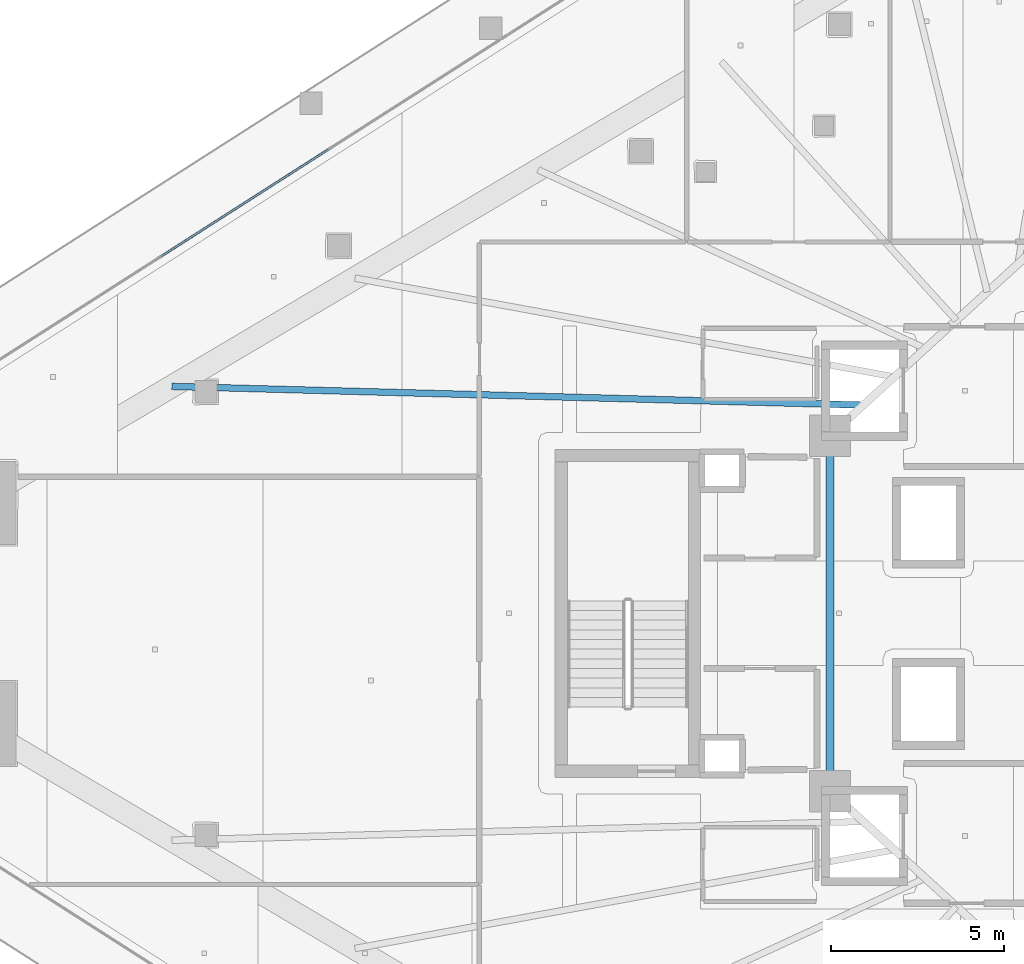
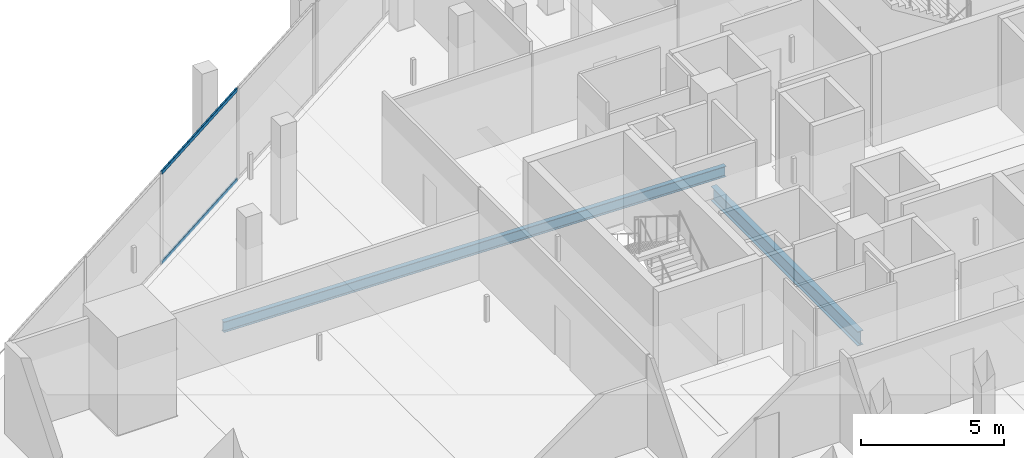
# One storey, part 15 of 45: 2 beams, 2 members, 1 element without a shape of its own.
"""IFC4 building model written with IfcOpenShell, lengths in metres."""

from ifc_helpers import new_model, si_unit, direction, frame, origin, origin_2d, place, context, subcontext, project, spatial, hollow_rectangle, i_section, extrude, material, layer, layer_set, material_profile, profile_set, type_object, element, aggregate, save


model = new_model("IFC4")

# Units and contexts
model_context = context("Model", 3, precision=1e-05, world=origin(), true_north=direction((0.0, 1.0)))
body_context = subcontext(model_context, "Body", "Model", "MODEL_VIEW")
ifc_project = project(units=[si_unit("LENGTHUNIT", "METRE"), si_unit("AREAUNIT", "SQUARE_METRE"), si_unit("VOLUMEUNIT", "CUBIC_METRE"), si_unit("PLANEANGLEUNIT", "RADIAN"), si_unit("MASSUNIT", "GRAM", prefix="KILO")], contexts=[model_context])

# Site, building, storey
site_placement = place(None, origin())
site = spatial("IfcSite", under=ifc_project, at=site_placement, CompositionType="ELEMENT")
building_placement = place(site_placement, origin())
building = spatial("IfcBuilding", under=site, at=building_placement, Name="Qorvath Tower", CompositionType="ELEMENT")
storey_placement = place(building_placement, frame((0.0, 0.0, 66.0)))
storey = spatial("IfcBuildingStorey", under=building, at=storey_placement, Name="L14", CompositionType="ELEMENT", Elevation=66.0)

# Beams
ifc_material_1 = material(Name="Steel ASTM A992 Grade 50", Category="steel")
ifc_material_profile_1 = material_profile(ifc_material_1, i_section(OverallWidth=0.22998046875, OverallDepth=0.616943359375, WebThickness=0.01318359375, FlangeThickness=0.022216796875, FilletRadius=0.014892578125, at=origin_2d()), Name="W24x94")
ifc_profile_set_1 = profile_set([ifc_material_profile_1], Name="Steel ASTM A992 Grade 50")
beam_type_1 = type_object("IfcBeamType", Name="BM-FG6", PredefinedType="BEAM", material=ifc_profile_set_1)
beam_1_placement = place(storey_placement, frame((-30.5, -5.14990234375, -0.58837890625), z_axis=(0.0, 1.0, 0.0), x_axis=(-1.0, 0.0, 0.0)))
element("IfcBeam", 1, at=beam_1_placement, inside=storey, type_object=beam_type_1, Name="Core Ring Girder CC6-CC5 L14", PredefinedType="BEAM", context=body_context, shape_type="SweptSolid", body=[
    extrude(i_section(OverallWidth=0.22998046875, OverallDepth=0.616943359375, WebThickness=0.01318359375, FlangeThickness=0.022216796875, FilletRadius=0.014892578125, at=origin_2d()), origin(), (0.0, 0.0, 1.0), 10.2998046875),
])
ifc_material_2 = material(Name="Steel ASTM A992 Grade 50", Category="steel")
ifc_material_profile_2 = material_profile(ifc_material_2, i_section(OverallWidth=0.18994140625, OverallDepth=0.45703125, WebThickness=0.009033203125, FlangeThickness=0.014404296875, FilletRadius=0.011962890625, at=origin_2d()), Name="W18x50")
ifc_profile_set_2 = profile_set([ifc_material_profile_2], Name="Steel ASTM A992 Grade 50")
beam_type_2 = type_object("IfcBeamType", Name="BM-FJ2", PredefinedType="JOIST", material=ifc_profile_set_2)
beam_2_placement = place(storey_placement, frame((-29.533935546875, 6.031982421875, -0.508544921875), z_axis=(-0.999634925413, 0.02701880631, 0.0), x_axis=(-0.02701880631, -0.999634925413, 0.0)))
element("IfcBeam", 2, at=beam_2_placement, inside=storey, type_object=beam_type_2, Name="Composite Floor Joist NW1 L14", PredefinedType="JOIST", context=body_context, shape_type="SweptSolid", body=[
    extrude(i_section(OverallWidth=0.18994140625, OverallDepth=0.45703125, WebThickness=0.009033203125, FlangeThickness=0.014404296875, FilletRadius=0.011962890625, at=origin_2d()), origin(), (0.0, 0.0, 1.0), 20.041748046875),
])

# Curtain wall, members
ifc_material_3 = material(Name="Anodised aluminium and triple low-E glass", Category="aluminium")
ifc_layer = layer(ifc_material_3, 0.179931640625)
ifc_layer_set = layer_set([ifc_layer], Name="CW-SYS-2")
curtain_wall_type = type_object("IfcCurtainWallType", Name="CW-SYS-2", PredefinedType="NOTDEFINED", material=ifc_layer_set)
curtain_wall_placement = place(storey_placement, origin())
curtain_wall = element("IfcCurtainWall", 3, at=curtain_wall_placement, inside=storey, type_object=curtain_wall_type, Name="Curtain Wall CW-2 CW-T-L14-16.3", PredefinedType="NOTDEFINED")
ifc_material_4 = material(Name="Anodised aluminium 6063-T6", Category="aluminium")
ifc_material_profile_3 = material_profile(ifc_material_4, hollow_rectangle(XDim=0.06494140625, YDim=0.159912109375, WallThickness=0.00341796875, InnerFilletRadius=0.00341796875, OuterFilletRadius=0.007080078125, at=origin_2d()), Name="CWT 160x65")
ifc_profile_set_3 = profile_set([ifc_material_profile_3], Name="Anodised aluminium 6063-T6")
member_type = type_object("IfcMemberType", Name="CWT-160", PredefinedType="USERDEFINED", material=ifc_profile_set_3)
member_1_placement = place(storey_placement, frame((-45.033935546875, 13.4384765625, 0.032470703125), z_axis=(-0.842601476504, -0.538537604809, 0.0), x_axis=(0.538537604809, -0.842601476504, 0.0)))
member_1 = element("IfcMember", 4, at=member_1_placement, type_object=member_type, Name="CW-2 transom 2.1", ObjectType="TRANSOM", PredefinedType="USERDEFINED", context=body_context, shape_type="SweptSolid", body=[
    extrude(hollow_rectangle(XDim=0.06494140625, YDim=0.159912109375, WallThickness=0.00341796875, InnerFilletRadius=0.00341796875, OuterFilletRadius=0.007080078125, at=origin_2d()), origin(), (0.0, 0.0, 1.0), 5.74658203125),
])
member_2_placement = place(storey_placement, frame((-45.033935546875, 13.4384765625, 3.887451171875), z_axis=(-0.842601476504, -0.538537604809, 0.0), x_axis=(0.538537604809, -0.842601476504, 0.0)))
member_2 = element("IfcMember", 5, at=member_2_placement, type_object=member_type, Name="CW-2 transom 2.2", ObjectType="TRANSOM", PredefinedType="USERDEFINED", context=body_context, shape_type="SweptSolid", body=[
    extrude(hollow_rectangle(XDim=0.06494140625, YDim=0.159912109375, WallThickness=0.00341796875, InnerFilletRadius=0.00341796875, OuterFilletRadius=0.007080078125, at=origin_2d()), origin(), (0.0, 0.0, 1.0), 5.74658203125),
])
aggregate(curtain_wall, [member_1, member_2])

save(model, "model.ifc")
